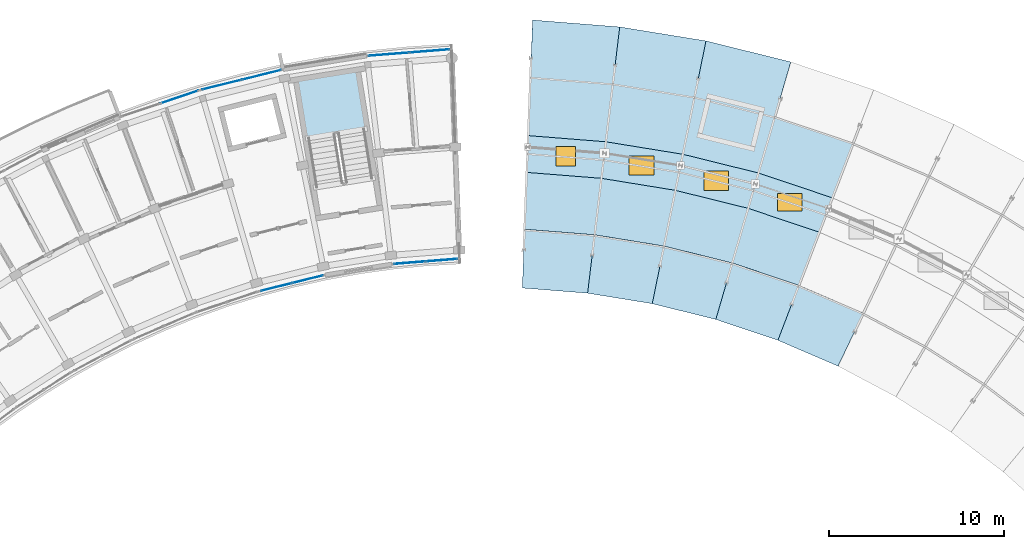
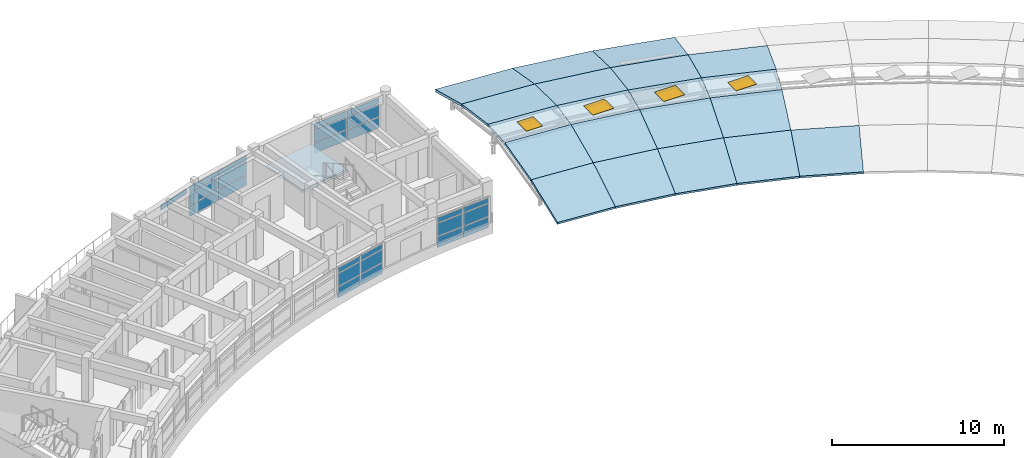
# One storey, part 13 of 20: 25 plates, 21 slabs, 4 windows, 4 openings, 6 elements without a shape of their own.
"""IFC4 building model written with IfcOpenShell, lengths in metres."""

from ifc_helpers import new_model, si_unit, direction, frame, origin, origin_2d, place, context, subcontext, project, spatial, polyline, rectangle, outline, extrude, material, layer, layer_set, type_object, element, fill, aggregate, save


model = new_model("IFC4")

# Units and contexts
model_context = context("Model", 3, precision=1e-05, world=origin(), true_north=direction((0.0, 1.0)))
body_context = subcontext(model_context, "Body", "Model", "MODEL_VIEW")
ifc_project = project(units=[si_unit("LENGTHUNIT", "METRE"), si_unit("AREAUNIT", "SQUARE_METRE"), si_unit("VOLUMEUNIT", "CUBIC_METRE"), si_unit("PLANEANGLEUNIT", "RADIAN"), si_unit("MASSUNIT", "GRAM", prefix="KILO")], contexts=[model_context])

# Site, building, storey
site_placement = place(None, origin())
site = spatial("IfcSite", under=ifc_project, at=site_placement, CompositionType="ELEMENT")
building_placement = place(site_placement, origin())
building = spatial("IfcBuilding", under=site, at=building_placement, Name="Zimvara Arc Housing Community", CompositionType="ELEMENT")
storey_placement = place(building_placement, frame((0.0, 0.0, 39.10009765625)))
storey = spatial("IfcBuildingStorey", under=building, at=storey_placement, Name="L12", CompositionType="ELEMENT", Elevation=39.10009765625)

# Curtain wall, plates
ifc_material_1 = material(Name="Anodised Aluminium AW-6063", Category="aluminium")
curtain_wall_type_1 = type_object("IfcCurtainWallType", Name="CW-SYS-08", PredefinedType="USERDEFINED", material=ifc_material_1)
curtain_wall_1_placement = place(storey_placement, origin())
curtain_wall_1 = element("IfcCurtainWall", 1, at=curtain_wall_1_placement, inside=storey, type_object=curtain_wall_type_1, Name="cw:blkA:L12:in:b9", ObjectType="CURTAIN WALL", PredefinedType="USERDEFINED")
ifc_material_2 = material(Name="Pale-Gold Anodised Aluminium Spandrel Panel", Category="aluminium")
ifc_layer_1 = layer(ifc_material_2, 0.035888671875)
ifc_layer_set_1 = layer_set([ifc_layer_1], Name="Pale-Gold Anodised Aluminium Spandrel Panel")
plate_type_1 = type_object("IfcPlateType", Name="CWP-GLD-36", PredefinedType="CURTAIN_PANEL", material=ifc_layer_set_1)
plate_1_placement = place(storey_placement, frame((40.33056640625, 91.658935546875, 0.06494140625), z_axis=(0.0, 0.0, 1.0), x_axis=(0.996862312384, 0.079155101851, 0.0)))
plate_1 = element("IfcPlate", 2, at=plate_1_placement, type_object=plate_type_1, Name="CW08 panel 1.1", PredefinedType="CURTAIN_PANEL", context=body_context, shape_type="SweptSolid", body=[
    extrude(rectangle(XDim=1.778564453125, YDim=0.035888671875, at=origin_2d()), origin(), (0.0, 0.0, 1.0), 0.75244140625),
])
plate_2_placement = place(storey_placement, frame((40.33056640625, 91.658935546875, 0.88232421875), z_axis=(0.0, 0.0, 1.0), x_axis=(0.996862312384, 0.079155101851, 0.0)))
plate_2 = element("IfcPlate", 3, at=plate_2_placement, type_object=plate_type_1, Name="CW08 panel 1.2", PredefinedType="CURTAIN_PANEL", context=body_context, shape_type="SweptSolid", body=[
    extrude(rectangle(XDim=1.778564453125, YDim=0.035888671875, at=origin_2d()), origin(), (0.0, 0.0, 1.0), 0.885009765625),
])
plate_3_placement = place(storey_placement, frame((40.33056640625, 91.658935546875, 1.832275390625), z_axis=(0.0, 0.0, 1.0), x_axis=(0.996862312384, 0.079155101851, 0.0)))
plate_3 = element("IfcPlate", 4, at=plate_3_placement, type_object=plate_type_1, Name="CW08 panel 1.3", PredefinedType="CURTAIN_PANEL", context=body_context, shape_type="SweptSolid", body=[
    extrude(rectangle(XDim=1.778564453125, YDim=0.035888671875, at=origin_2d()), origin(), (0.0, 0.0, 1.0), 0.3525390625),
])
plate_4_placement = place(storey_placement, frame((42.16845703125, 91.8046875, 0.06494140625), z_axis=(0.0, 0.0, 1.0), x_axis=(0.996862312384, 0.079155101851, 0.0)))
plate_4 = element("IfcPlate", 5, at=plate_4_placement, type_object=plate_type_1, Name="CW08 panel 2.1", PredefinedType="CURTAIN_PANEL", context=body_context, shape_type="SweptSolid", body=[
    extrude(rectangle(XDim=1.778564453125, YDim=0.035888671875, at=origin_2d()), origin(), (0.0, 0.0, 1.0), 0.75244140625),
])
plate_5_placement = place(storey_placement, frame((42.16845703125, 91.8046875, 0.88232421875), z_axis=(0.0, 0.0, 1.0), x_axis=(0.996862312384, 0.079155101851, 0.0)))
plate_5 = element("IfcPlate", 6, at=plate_5_placement, type_object=plate_type_1, Name="CW08 panel 2.2", PredefinedType="CURTAIN_PANEL", context=body_context, shape_type="SweptSolid", body=[
    extrude(rectangle(XDim=1.778564453125, YDim=0.035888671875, at=origin_2d()), origin(), (0.0, 0.0, 1.0), 0.885009765625),
])
plate_6_placement = place(storey_placement, frame((42.16845703125, 91.8046875, 1.832275390625), z_axis=(0.0, 0.0, 1.0), x_axis=(0.996862312384, 0.079155101851, 0.0)))
plate_6 = element("IfcPlate", 7, at=plate_6_placement, type_object=plate_type_1, Name="CW08 panel 2.3", PredefinedType="CURTAIN_PANEL", context=body_context, shape_type="SweptSolid", body=[
    extrude(rectangle(XDim=1.778564453125, YDim=0.035888671875, at=origin_2d()), origin(), (0.0, 0.0, 1.0), 0.3525390625),
])
aggregate(curtain_wall_1, [plate_1, plate_2, plate_3, plate_4, plate_5, plate_6])

ifc_material_3 = material(Name="Anodised Aluminium AW-6063", Category="aluminium")
curtain_wall_type_2 = type_object("IfcCurtainWallType", Name="CW-SYS-05", PredefinedType="USERDEFINED", material=ifc_material_3)
curtain_wall_2_placement = place(storey_placement, origin())
curtain_wall_2 = element("IfcCurtainWall", 8, at=curtain_wall_2_placement, inside=storey, type_object=curtain_wall_type_2, Name="cw:blkA:L12:out:b7", ObjectType="CURTAIN WALL", PredefinedType="USERDEFINED")
ifc_material_4 = material(Name="Solar Control Low-E Double Glazing", Category="glass")
ifc_layer_2 = layer(ifc_material_4, 0.02392578125)
ifc_layer_set_2 = layer_set([ifc_layer_2], Name="Solar Control Low-E Double Glazing")
plate_type_2 = type_object("IfcPlateType", Name="CWP-GLZ-24", PredefinedType="CURTAIN_PANEL", material=ifc_layer_set_2)
plate_7_placement = place(storey_placement, frame((29.615234375, 101.81298828125, 0.06494140625), z_axis=(0.0, 0.0, 1.0), x_axis=(0.970716068627, 0.240229711131, 0.0)))
plate_7 = element("IfcPlate", 9, at=plate_7_placement, type_object=plate_type_2, Name="CW05 panel 1.1", PredefinedType="CURTAIN_PANEL", context=body_context, shape_type="SweptSolid", body=[
    extrude(rectangle(XDim=2.266845703125, YDim=0.02392578125, at=origin_2d()), origin(), (0.0, 0.0, 1.0), 0.75244140625),
])
plate_8_placement = place(storey_placement, frame((29.615234375, 101.81298828125, 0.88232421875), z_axis=(0.0, 0.0, 1.0), x_axis=(0.970716068627, 0.240229711131, 0.0)))
plate_8 = element("IfcPlate", 10, at=plate_8_placement, type_object=plate_type_2, Name="CW05 panel 1.2", PredefinedType="CURTAIN_PANEL", context=body_context, shape_type="SweptSolid", body=[
    extrude(rectangle(XDim=2.266845703125, YDim=0.02392578125, at=origin_2d()), origin(), (0.0, 0.0, 1.0), 0.885009765625),
])
plate_9_placement = place(storey_placement, frame((29.615234375, 101.81298828125, 1.832275390625), z_axis=(0.0, 0.0, 1.0), x_axis=(0.970716068627, 0.240229711131, 0.0)))
plate_9 = element("IfcPlate", 11, at=plate_9_placement, type_object=plate_type_2, Name="CW05 panel 1.3", PredefinedType="CURTAIN_PANEL", context=body_context, shape_type="SweptSolid", body=[
    extrude(rectangle(XDim=2.266845703125, YDim=0.02392578125, at=origin_2d()), origin(), (0.0, 0.0, 1.0), 0.3525390625),
])
plate_10_placement = place(storey_placement, frame((31.87890625, 102.373291015625, 0.06494140625), z_axis=(0.0, 0.0, 1.0), x_axis=(0.970716068627, 0.240229711131, 0.0)))
plate_10 = element("IfcPlate", 12, at=plate_10_placement, type_object=plate_type_2, Name="CW05 panel 2.1", PredefinedType="CURTAIN_PANEL", context=body_context, shape_type="SweptSolid", body=[
    extrude(rectangle(XDim=2.266845703125, YDim=0.02392578125, at=origin_2d()), origin(), (0.0, 0.0, 1.0), 0.75244140625),
])
plate_11_placement = place(storey_placement, frame((31.87890625, 102.373291015625, 0.88232421875), z_axis=(0.0, 0.0, 1.0), x_axis=(0.970716068627, 0.240229711131, 0.0)))
plate_11 = element("IfcPlate", 13, at=plate_11_placement, type_object=plate_type_2, Name="CW05 panel 2.2", PredefinedType="CURTAIN_PANEL", context=body_context, shape_type="SweptSolid", body=[
    extrude(rectangle(XDim=2.266845703125, YDim=0.02392578125, at=origin_2d()), origin(), (0.0, 0.0, 1.0), 0.885009765625),
])
plate_12_placement = place(storey_placement, frame((31.87890625, 102.373291015625, 1.832275390625), z_axis=(0.0, 0.0, 1.0), x_axis=(0.970716068627, 0.240229711131, 0.0)))
plate_12 = element("IfcPlate", 14, at=plate_12_placement, type_object=plate_type_2, Name="CW05 panel 2.3", PredefinedType="CURTAIN_PANEL", context=body_context, shape_type="SweptSolid", body=[
    extrude(rectangle(XDim=2.266845703125, YDim=0.02392578125, at=origin_2d()), origin(), (0.0, 0.0, 1.0), 0.3525390625),
])
aggregate(curtain_wall_2, [plate_7, plate_8, plate_9, plate_10, plate_11, plate_12])

ifc_material_5 = material(Name="Anodised Aluminium AW-6063", Category="aluminium")
curtain_wall_type_3 = type_object("IfcCurtainWallType", Name="CW-SYS-06", PredefinedType="USERDEFINED", material=ifc_material_5)
curtain_wall_3_placement = place(storey_placement, origin())
curtain_wall_3 = element("IfcCurtainWall", 15, at=curtain_wall_3_placement, inside=storey, type_object=curtain_wall_type_3, Name="cw:blkA:L12:in:b7", ObjectType="CURTAIN WALL", PredefinedType="USERDEFINED")
ifc_material_6 = material(Name="Solar Control Low-E Double Glazing", Category="glass")
ifc_layer_3 = layer(ifc_material_6, 0.028076171875)
ifc_layer_set_3 = layer_set([ifc_layer_3], Name="Solar Control Low-E Double Glazing")
plate_type_3 = type_object("IfcPlateType", Name="CWP-GLZ-28", PredefinedType="CURTAIN_PANEL", material=ifc_layer_set_3)
plate_13_placement = place(storey_placement, frame((32.72314453125, 90.271484375, 0.06494140625), z_axis=(0.0, 0.0, 1.0), x_axis=(0.970716198507, 0.240229186313, 0.0)))
plate_13 = element("IfcPlate", 16, at=plate_13_placement, type_object=plate_type_3, Name="CW06 panel 1.1", PredefinedType="CURTAIN_PANEL", context=body_context, shape_type="SweptSolid", body=[
    extrude(rectangle(XDim=1.778564453125, YDim=0.028076171875, at=origin_2d()), origin(), (0.0, 0.0, 1.0), 0.75244140625),
])
plate_14_placement = place(storey_placement, frame((32.72314453125, 90.271484375, 0.88232421875), z_axis=(0.0, 0.0, 1.0), x_axis=(0.970716198507, 0.240229186313, 0.0)))
plate_14 = element("IfcPlate", 17, at=plate_14_placement, type_object=plate_type_3, Name="CW06 panel 1.2", PredefinedType="CURTAIN_PANEL", context=body_context, shape_type="SweptSolid", body=[
    extrude(rectangle(XDim=1.778564453125, YDim=0.028076171875, at=origin_2d()), origin(), (0.0, 0.0, 1.0), 0.885009765625),
])
plate_15_placement = place(storey_placement, frame((32.72314453125, 90.271484375, 1.832275390625), z_axis=(0.0, 0.0, 1.0), x_axis=(0.970716198507, 0.240229186313, 0.0)))
plate_15 = element("IfcPlate", 18, at=plate_15_placement, type_object=plate_type_3, Name="CW06 panel 1.3", PredefinedType="CURTAIN_PANEL", context=body_context, shape_type="SweptSolid", body=[
    extrude(rectangle(XDim=1.778564453125, YDim=0.028076171875, at=origin_2d()), origin(), (0.0, 0.0, 1.0), 0.3525390625),
])
plate_16_placement = place(storey_placement, frame((34.5126953125, 90.71435546875, 0.06494140625), z_axis=(0.0, 0.0, 1.0), x_axis=(0.970716198507, 0.240229186313, 0.0)))
plate_16 = element("IfcPlate", 19, at=plate_16_placement, type_object=plate_type_3, Name="CW06 panel 2.1", PredefinedType="CURTAIN_PANEL", context=body_context, shape_type="SweptSolid", body=[
    extrude(rectangle(XDim=1.778564453125, YDim=0.028076171875, at=origin_2d()), origin(), (0.0, 0.0, 1.0), 0.75244140625),
])
plate_17_placement = place(storey_placement, frame((34.5126953125, 90.71435546875, 0.88232421875), z_axis=(0.0, 0.0, 1.0), x_axis=(0.970716198507, 0.240229186313, 0.0)))
plate_17 = element("IfcPlate", 20, at=plate_17_placement, type_object=plate_type_3, Name="CW06 panel 2.2", PredefinedType="CURTAIN_PANEL", context=body_context, shape_type="SweptSolid", body=[
    extrude(rectangle(XDim=1.778564453125, YDim=0.028076171875, at=origin_2d()), origin(), (0.0, 0.0, 1.0), 0.885009765625),
])
plate_18_placement = place(storey_placement, frame((34.5126953125, 90.71435546875, 1.832275390625), z_axis=(0.0, 0.0, 1.0), x_axis=(0.970716198507, 0.240229186313, 0.0)))
plate_18 = element("IfcPlate", 21, at=plate_18_placement, type_object=plate_type_3, Name="CW06 panel 2.3", PredefinedType="CURTAIN_PANEL", context=body_context, shape_type="SweptSolid", body=[
    extrude(rectangle(XDim=1.778564453125, YDim=0.028076171875, at=origin_2d()), origin(), (0.0, 0.0, 1.0), 0.3525390625),
])
aggregate(curtain_wall_3, [plate_13, plate_14, plate_15, plate_16, plate_17, plate_18])

# Curtain wall, plate
ifc_material_7 = material(Name="Anodised Aluminium AW-6063", Category="aluminium")
curtain_wall_type_4 = type_object("IfcCurtainWallType", Name="CW-SYS-03", PredefinedType="USERDEFINED", material=ifc_material_7)
curtain_wall_4_placement = place(storey_placement, origin())
curtain_wall_4 = element("IfcCurtainWall", 22, at=curtain_wall_4_placement, inside=storey, type_object=curtain_wall_type_4, Name="cw:blkA:L12:out:b6", ObjectType="CURTAIN WALL", PredefinedType="USERDEFINED")
ifc_material_8 = material(Name="Acoustic Laminated Solar Glazing", Category="glass")
ifc_layer_4 = layer(ifc_material_8, 0.031982421875)
ifc_layer_set_4 = layer_set([ifc_layer_4], Name="Acoustic Laminated Solar Glazing")
plate_type_4 = type_object("IfcPlateType", Name="CWP-GLZ-32", PredefinedType="CURTAIN_PANEL", material=ifc_layer_set_4)
plate_19_placement = place(storey_placement, frame((27.200927734375, 101.109619140625, 1.832275390625), z_axis=(0.0, 0.0, 1.0), x_axis=(0.947879647164, 0.318628583921, 0.0)))
plate_19 = element("IfcPlate", 23, at=plate_19_placement, type_object=plate_type_4, Name="CW03 panel 2.3", PredefinedType="CURTAIN_PANEL", context=body_context, shape_type="SweptSolid", body=[
    extrude(rectangle(XDim=2.266845703125, YDim=0.031982421875, at=origin_2d()), origin(), (0.0, 0.0, 1.0), 0.3525390625),
])
aggregate(curtain_wall_4, [plate_19])

# Curtain wall, plates
ifc_material_9 = material(Name="Anodised Aluminium AW-6063", Category="aluminium")
curtain_wall_type_5 = type_object("IfcCurtainWallType", Name="CW-SYS-07", PredefinedType="USERDEFINED", material=ifc_material_9)
curtain_wall_5_placement = place(storey_placement, origin())
curtain_wall_5 = element("IfcCurtainWall", 24, at=curtain_wall_5_placement, inside=storey, type_object=curtain_wall_type_5, Name="cw:blkA:L12:out:b9", ObjectType="CURTAIN WALL", PredefinedType="USERDEFINED")
plate_20_placement = place(storey_placement, frame((39.141357421875, 103.552001953125, 0.06494140625), z_axis=(0.0, 0.0, 1.0), x_axis=(0.996862418963, 0.079153759607, 0.0)))
plate_20 = element("IfcPlate", 25, at=plate_20_placement, type_object=plate_type_4, Name="CW07 panel 1.1", PredefinedType="CURTAIN_PANEL", context=body_context, shape_type="SweptSolid", body=[
    extrude(rectangle(XDim=2.266845703125, YDim=0.031982421875, at=origin_2d()), origin(), (0.0, 0.0, 1.0), 0.75244140625),
])
plate_21_placement = place(storey_placement, frame((39.141357421875, 103.552001953125, 0.88232421875), z_axis=(0.0, 0.0, 1.0), x_axis=(0.996862418963, 0.079153759607, 0.0)))
plate_21 = element("IfcPlate", 26, at=plate_21_placement, type_object=plate_type_4, Name="CW07 panel 1.2", PredefinedType="CURTAIN_PANEL", context=body_context, shape_type="SweptSolid", body=[
    extrude(rectangle(XDim=2.266845703125, YDim=0.031982421875, at=origin_2d()), origin(), (0.0, 0.0, 1.0), 0.885009765625),
])
plate_22_placement = place(storey_placement, frame((39.141357421875, 103.552001953125, 1.832275390625), z_axis=(0.0, 0.0, 1.0), x_axis=(0.996862418963, 0.079153759607, 0.0)))
plate_22 = element("IfcPlate", 27, at=plate_22_placement, type_object=plate_type_4, Name="CW07 panel 1.3", PredefinedType="CURTAIN_PANEL", context=body_context, shape_type="SweptSolid", body=[
    extrude(rectangle(XDim=2.266845703125, YDim=0.031982421875, at=origin_2d()), origin(), (0.0, 0.0, 1.0), 0.3525390625),
])
plate_23_placement = place(storey_placement, frame((41.466064453125, 103.736572265625, 0.06494140625), z_axis=(0.0, 0.0, 1.0), x_axis=(0.996862418963, 0.079153759607, 0.0)))
plate_23 = element("IfcPlate", 28, at=plate_23_placement, type_object=plate_type_4, Name="CW07 panel 2.1", PredefinedType="CURTAIN_PANEL", context=body_context, shape_type="SweptSolid", body=[
    extrude(rectangle(XDim=2.266845703125, YDim=0.031982421875, at=origin_2d()), origin(), (0.0, 0.0, 1.0), 0.75244140625),
])
plate_24_placement = place(storey_placement, frame((41.466064453125, 103.736572265625, 0.88232421875), z_axis=(0.0, 0.0, 1.0), x_axis=(0.996862418963, 0.079153759607, 0.0)))
plate_24 = element("IfcPlate", 29, at=plate_24_placement, type_object=plate_type_4, Name="CW07 panel 2.2", PredefinedType="CURTAIN_PANEL", context=body_context, shape_type="SweptSolid", body=[
    extrude(rectangle(XDim=2.266845703125, YDim=0.031982421875, at=origin_2d()), origin(), (0.0, 0.0, 1.0), 0.885009765625),
])
plate_25_placement = place(storey_placement, frame((41.466064453125, 103.736572265625, 1.832275390625), z_axis=(0.0, 0.0, 1.0), x_axis=(0.996862418963, 0.079153759607, 0.0)))
plate_25 = element("IfcPlate", 30, at=plate_25_placement, type_object=plate_type_4, Name="CW07 panel 2.3", PredefinedType="CURTAIN_PANEL", context=body_context, shape_type="SweptSolid", body=[
    extrude(rectangle(XDim=2.266845703125, YDim=0.031982421875, at=origin_2d()), origin(), (0.0, 0.0, 1.0), 0.3525390625),
])
aggregate(curtain_wall_5, [plate_20, plate_21, plate_22, plate_23, plate_24, plate_25])

# Slabs
ifc_material_10 = material(Name="Concrete C40/50", Category="concrete")
ifc_layer_5 = layer(ifc_material_10, 0.179931640625)
ifc_layer_set_5 = layer_set([ifc_layer_5], Name="Concrete C40/50")
slab_type_1 = type_object("IfcSlabType", Name="SLB-BRL-ROOF-180", PredefinedType="ROOF", material=ifc_layer_set_5)
slab_1_placement = place(storey_placement, frame((46.75634765625, 90.21630859375, 0.119873046875), z_axis=(-0.022974423156, -0.289322128099, 0.95695605023), x_axis=(0.9968633864, -0.079141574588, 5.17525e-06)))
element("IfcSlab", 31, at=slab_1_placement, inside=storey, type_object=slab_type_1, Name="roof:blkB:in1:b0:t0", PredefinedType="ROOF", context=body_context, shape_type="SweptSolid", body=[
    extrude(outline(polyline([(0.0, 0.0), (3.7358385114678287, 0.0), (3.8705900327088654, 3.44544011930039), (-0.1349044960905518, 3.4455781578765805), (0.0, 0.0)])), origin(), (0.0, 0.0, -1.0), 0.179931640625),
])
slab_2_placement = place(storey_placement, frame((46.8828125, 93.513916015625, 1.119873046875), z_axis=(-0.014174813239, -0.178491782349, 0.983839294958), x_axis=(0.996860687399, -0.079175563872, -1.904218e-06)))
element("IfcSlab", 32, at=slab_2_placement, inside=storey, type_object=slab_type_1, Name="roof:blkB:in2:b0:t0", PredefinedType="ROOF", context=body_context, shape_type="SweptSolid", body=[
    extrude(outline(polyline([(0.0, 0.0), (4.005494531221431, 0.0), (4.140107984631952, 3.351538711214343), (-0.13477986450840904, 3.3514506501851047), (0.0, 0.0)])), origin(), (0.0, 0.0, -1.0), 0.179931640625),
])
slab_3_placement = place(storey_placement, frame((52.313232421875, 105.1103515625, 0.119873046875), z_axis=(0.0229715064, 0.289331418603, 0.956953311349), x_axis=(-0.996863621307, 0.079138615797, 2.268744e-06)))
element("IfcSlab", 33, at=slab_3_placement, inside=storey, type_object=slab_type_1, Name="roof:blkB:out2:b0:t0", PredefinedType="ROOF", context=body_context, shape_type="SweptSolid", body=[
    extrude(outline(polyline([(0.0, 0.0), (4.985362275011209, -5.551115123125783e-17), (4.850727354912323, 3.445364017546967), (0.13475840094887853, 3.445439850266384), (0.0, 0.0)])), origin(), (0.0, 0.0, -1.0), 0.179931640625),
])
slab_4_placement = place(storey_placement, frame((51.91796875, 101.834228515625, 1.119873046875), z_axis=(0.014175326498, 0.178491741596, 0.983839294957), x_axis=(-0.996862311933, 0.079155107487, 2.353792e-06)))
element("IfcSlab", 34, at=slab_4_placement, inside=storey, type_object=slab_type_1, Name="roof:blkB:out1:b0:t0", PredefinedType="ROOF", context=body_context, shape_type="SweptSolid", body=[
    extrude(outline(polyline([(0.0, 0.0), (4.715968954574453, 0.0), (4.5810159336717495, 3.3514344607299833), (0.1349270479698463, 3.351554902684839), (0.0, 0.0)])), origin(), (0.0, 0.0, -1.0), 0.179931640625),
])
slab_5_placement = place(storey_placement, frame((50.48046875, 89.920654296875, 0.119873046875), z_axis=(-0.046509333371, -0.286488706127, 0.95695407579), x_axis=(0.987077534136, -0.160243382402, 4.16747e-07)))
element("IfcSlab", 35, at=slab_5_placement, inside=storey, type_object=slab_type_1, Name="roof:blkB:in1:b1:t0", PredefinedType="ROOF", context=body_context, shape_type="SweptSolid", body=[
    extrude(outline(polyline([(0.0, 0.0), (3.735775353818671, 1.1102230246251565e-16), (3.8705536441515354, 3.445426296550488), (-0.13482073088136826, 3.445437411866831), (0.0, 0.0)])), origin(), (0.0, 0.0, -1.0), 0.179931640625),
])
slab_6_placement = place(storey_placement, frame((50.875732421875, 93.19677734375, 1.119873046875), z_axis=(-0.028692655085, -0.176738308546, 0.983839571189), x_axis=(0.98707708297, -0.160246161497, 2.30475e-07)))
element("IfcSlab", 36, at=slab_6_placement, inside=storey, type_object=slab_type_1, Name="roof:blkB:in2:b1:t0", PredefinedType="ROOF", context=body_context, shape_type="SweptSolid", body=[
    extrude(outline(polyline([(0.0, 0.0), (4.0053743750485475, 0.0), (4.1401039813896885, 3.351517762408131), (-0.1348694149046448, 3.351528420823835), (0.0, 0.0)])), origin(), (0.0, 0.0, -1.0), 0.179931640625),
])
slab_7_placement = place(storey_placement, frame((57.234130859375, 104.3115234375, 0.119873046875), z_axis=(0.046506464662, 0.286489171818, 0.956954075792), x_axis=(-0.987078713765, 0.160236115876, -3.87493e-07)))
element("IfcSlab", 37, at=slab_7_placement, inside=storey, type_object=slab_type_1, Name="roof:blkB:out2:b1:t0", PredefinedType="ROOF", context=body_context, shape_type="SweptSolid", body=[
    extrude(outline(polyline([(0.0, 0.0), (4.98531521626034, 3.3306690738754696e-16), (4.85051795343565, 3.445438330096845), (0.13480175829698401, 3.4454253784497024), (0.0, 0.0)])), origin(), (0.0, 0.0, -1.0), 0.179931640625),
])
slab_8_placement = place(storey_placement, frame((56.57275390625, 101.07861328125, 1.119873046875), z_axis=(0.028688950744, 0.176737868356, 0.983839758291), x_axis=(-0.987079184767, 0.160233214403, -1.027241e-06)))
element("IfcSlab", 38, at=slab_8_placement, inside=storey, type_object=slab_type_1, Name="roof:blkB:out1:b1:t0", PredefinedType="ROOF", context=body_context, shape_type="SweptSolid", body=[
    extrude(outline(polyline([(0.0, 0.0), (4.7157161951543145, -2.220446049250313e-16), (4.581130261822835, 3.351568617921613), (0.13477210161993652, 3.3515160538424444), (0.0, 0.0)])), origin(), (0.0, 0.0, -1.0), 0.179931640625),
])
slab_9_placement = place(storey_placement, frame((54.16796875, 89.322021484375, 0.119873046875), z_axis=(-0.069723245271, -0.281739761874, 0.956954218157), x_axis=(0.970716409036, -0.240228335606, -3.92697e-07)))
element("IfcSlab", 39, at=slab_9_placement, inside=storey, type_object=slab_type_1, Name="roof:blkB:in1:b2:t0", PredefinedType="ROOF", context=body_context, shape_type="SweptSolid", body=[
    extrude(outline(polyline([(0.0, 0.0), (3.7358644779074552, 0.0), (3.870596730473103, 3.445442663410225), (-0.13462755774030552, 3.4454321896104463), (0.0, 0.0)])), origin(), (0.0, 0.0, -1.0), 0.179931640625),
])
slab_10_placement = place(storey_placement, frame((54.829345703125, 92.554931640625, 1.119873046875), z_axis=(-0.04301112425, -0.173807810552, 0.983839869177), x_axis=(0.970717100929, -0.240225539778, -1.464941e-06)))
element("IfcSlab", 40, at=slab_10_placement, inside=storey, type_object=slab_type_1, Name="roof:blkB:in2:b2:t0", PredefinedType="ROOF", context=body_context, shape_type="SweptSolid", body=[
    extrude(outline(polyline([(0.0, 0.0), (4.005224288222957, 0.0), (4.140143893336732, 3.3515876138275904), (-0.13467719670194198, 3.3515198688379972), (0.0, 0.0)])), origin(), (0.0, 0.0, -1.0), 0.179931640625),
])
slab_11_placement = place(storey_placement, frame((62.0732421875, 103.114013671875, 0.119873046875), z_axis=(0.069721064497, 0.281740301595, 0.956954218144), x_axis=(-0.970718766589, 0.240218808988, 2.36209e-07)))
element("IfcSlab", 41, at=slab_11_placement, inside=storey, type_object=slab_type_1, Name="roof:blkB:out2:b2:t0", PredefinedType="ROOF", context=body_context, shape_type="SweptSolid", body=[
    extrude(outline(polyline([(0.0, 0.0), (4.985080549474946, 0.0), (4.85048597857302, 3.4454334783872294), (0.13476523949816696, 3.445441373315268), (0.0, 0.0)])), origin(), (0.0, 0.0, -1.0), 0.179931640625),
])
slab_12_placement = place(storey_placement, frame((61.150390625, 99.94580078125, 1.119873046875), z_axis=(0.04301214547, 0.173809145571, 0.983839588682), x_axis=(-0.970718356208, 0.240220467321, 1.67684e-07)))
element("IfcSlab", 42, at=slab_12_placement, inside=storey, type_object=slab_type_1, Name="roof:blkB:out1:b2:t0", PredefinedType="ROOF", context=body_context, shape_type="SweptSolid", body=[
    extrude(outline(polyline([(0.0, 0.0), (4.715720739081553, 0.0), (4.581061752363916, 3.3515206005421576), (0.13470082366794028, 3.351529180900195), (0.0, 0.0)])), origin(), (0.0, 0.0, -1.0), 0.179931640625),
])
slab_13_placement = place(storey_placement, frame((57.79443359375, 88.424560546875, 0.119873046875), z_axis=(-0.092474087513, -0.275106520269, 0.956956083446), x_axis=(0.947876950025, -0.318636607415, -5.175022e-06)))
element("IfcSlab", 43, at=slab_13_placement, inside=storey, type_object=slab_type_1, Name="roof:blkB:in1:b3:t0", PredefinedType="ROOF", context=body_context, shape_type="SweptSolid", body=[
    extrude(outline(polyline([(0.0, 0.0), (3.735992982877189, -2.220446049250313e-16), (3.8705943399836635, 3.4455794523556467), (-0.1347640576710114, 3.445441419482121), (0.0, 0.0)])), origin(), (0.0, 0.0, -1.0), 0.179931640625),
])
slab_14_placement = place(storey_placement, frame((58.71728515625, 91.5927734375, 1.119873046875), z_axis=(-0.057048152741, -0.169719046301, 0.983839902419), x_axis=(0.947887804654, -0.318604315387, 2.061013e-06)))
element("IfcSlab", 44, at=slab_14_placement, inside=storey, type_object=slab_type_1, Name="roof:blkB:in2:b3:t0", PredefinedType="ROOF", context=body_context, shape_type="SweptSolid", body=[
    extrude(outline(polyline([(0.0, 0.0), (4.0053584000752895, 0.0), (4.140309916911893, 3.351509501246324), (-0.13449168694384653, 3.3516048124912854), (0.0, 0.0)])), origin(), (0.0, 0.0, -1.0), 0.179931640625),
])
slab_15_placement = place(storey_placement, frame((65.620361328125, 98.443115234375, 1.119873046875), z_axis=(0.057054089524, 0.169721364154, 0.983839158307), x_axis=(-0.947872672327, 0.318649332421, -1.613151e-06)))
element("IfcSlab", 45, at=slab_15_placement, inside=storey, type_object=slab_type_1, Name="roof:blkB:out1:b3:t0", PredefinedType="ROOF", context=body_context, shape_type="SweptSolid", body=[
    extrude(outline(polyline([(0.0, 0.0), (4.715792821946596, 2.220446049250313e-16), (4.580910912795344, 3.351521898010951), (0.13456129892165572, 3.351439353777418), (0.0, 0.0)])), origin(), (0.0, 0.0, -1.0), 0.179931640625),
])
slab_16_placement = place(storey_placement, frame((61.335693359375, 87.234130859375, 0.119873046875), z_axis=(-0.114613530394, -0.266635262251, 0.956958398038), x_axis=(0.918715489381, -0.394920054652, -2.494021e-06)))
element("IfcSlab", 46, at=slab_16_placement, inside=storey, type_object=slab_type_1, Name="roof:blkB:in1:b4:t0", PredefinedType="ROOF", context=body_context, shape_type="SweptSolid", body=[
    extrude(outline(polyline([(0.0, 0.0), (3.735792050774291, -2.220446049250313e-16), (3.870589778254048, 3.445634301951835), (-0.13489987153131738, 3.4455677780018448), (0.0, 0.0)])), origin(), (0.0, 0.0, -1.0), 0.179931640625),
])

# Slab, opening, window
ifc_material_11 = material(Name="Concrete C40/50", Category="concrete")
ifc_layer_6 = layer(ifc_material_11, 0.205078125)
ifc_layer_set_6 = layer_set([ifc_layer_6], Name="Concrete C40/50")
slab_type_2 = type_object("IfcSlabType", Name="SLB-CURB-ROOF-205", PredefinedType="ROOF", material=ifc_layer_set_6)
slab_17_placement = place(storey_placement, frame((0.0, 0.0, 1.514892578125)))
slab_17 = element("IfcSlab", 47, at=slab_17_placement, inside=storey, type_object=slab_type_2, Name="roof:blkB:curb:b0", PredefinedType="ROOF", context=body_context, shape_type="SweptSolid", body=[
    extrude(outline(polyline([(47.009521484375, 96.8115234375), (51.27099609375, 96.47314453125), (51.5224609375, 98.557861328125), (47.09033203125, 98.909912109375), (47.009521484375, 96.8115234375)])), origin(), (0.0, 0.0, 1.0), 0.205078125),
])
opening_1_placement = place(slab_17_placement, frame((49.226806640625, 97.732421875, 0.0)))
opening_1 = element("IfcOpeningElement", 48, at=opening_1_placement, cuts=slab_17, Name="Opening SK4", PredefinedType="OPENING", context=body_context, shape_type="SweptSolid", body=[
    extrude(rectangle(XDim=1.10009765625, YDim=1.10009765625, at=origin_2d()), origin(), (0.0, 0.0, 1.0), 0.205078125),
])
ifc_material_12 = material(Name="Solar Control Low-E Double Glazing", Category="glass")
window_type_1 = type_object("IfcWindowType", Name="SKY-HTCH-1100x1100", PartitioningType="SINGLE_PANEL", PredefinedType="SKYLIGHT", material=ifc_material_12)
window_1_placement = place(opening_1_placement, frame((0.0, 0.0, 0.155029296875)))
window_1 = element("IfcWindow", 49, at=window_1_placement, inside=storey, type_object=window_type_1, Name="ROOF ACCESS HATCH", OverallHeight=1.10009765625, OverallWidth=1.10009765625, PartitioningType="SINGLE_PANEL", PredefinedType="SKYLIGHT", context=body_context, shape_type="SweptSolid", body=[
    extrude(rectangle(XDim=1.10009765625, YDim=1.10009765625, at=origin_2d()), origin(), (0.0, 0.0, 1.0), 0.050048828125),
])
fill(opening_1, window_1)

slab_18_placement = place(storey_placement, frame((0.0, 0.0, 1.514892578125)))
slab_18 = element("IfcSlab", 50, at=slab_18_placement, inside=storey, type_object=slab_type_2, Name="roof:blkB:curb:b1", PredefinedType="ROOF", context=body_context, shape_type="SweptSolid", body=[
    extrude(outline(polyline([(51.27099609375, 96.47314453125), (55.49072265625, 95.7880859375), (55.911376953125, 97.845458984375), (51.5224609375, 98.557861328125), (51.27099609375, 96.47314453125)])), origin(), (0.0, 0.0, 1.0), 0.205078125),
])
opening_2_placement = place(slab_18_placement, frame((53.55615234375, 97.210205078125, 0.0)))
opening_2 = element("IfcOpeningElement", 51, at=opening_2_placement, cuts=slab_18, Name="Opening SK1", PredefinedType="OPENING", context=body_context, shape_type="SweptSolid", body=[
    extrude(rectangle(XDim=1.39990234375, YDim=1.10009765625, at=origin_2d()), origin(), (0.0, 0.0, 1.0), 0.205078125),
])
ifc_material_13 = material(Name="Solar Control Low-E Double Glazing", Category="glass")
window_type_2 = type_object("IfcWindowType", Name="SKY-BRL-2200x1200", PartitioningType="SINGLE_PANEL", PredefinedType="SKYLIGHT", material=ifc_material_13)
window_2_placement = place(opening_2_placement, frame((0.0, 0.0, 0.155029296875)))
window_2 = element("IfcWindow", 52, at=window_2_placement, inside=storey, type_object=window_type_2, Name="sky:blkB:b1", OverallHeight=1.10009765625, OverallWidth=1.39990234375, PartitioningType="SINGLE_PANEL", PredefinedType="SKYLIGHT", context=body_context, shape_type="SweptSolid", body=[
    extrude(rectangle(XDim=1.39990234375, YDim=1.10009765625, at=origin_2d()), origin(), (0.0, 0.0, 1.0), 0.050048828125),
])
fill(opening_2, window_2)

slab_19_placement = place(storey_placement, frame((0.0, 0.0, 1.514892578125)))
slab_19 = element("IfcSlab", 53, at=slab_19_placement, inside=storey, type_object=slab_type_2, Name="roof:blkB:curb:b2", PredefinedType="ROOF", context=body_context, shape_type="SweptSolid", body=[
    extrude(outline(polyline([(55.49072265625, 95.7880859375), (59.640380859375, 94.76123046875), (60.2275390625, 96.77734375), (55.911376953125, 97.845458984375), (55.49072265625, 95.7880859375)])), origin(), (0.0, 0.0, 1.0), 0.205078125),
])
opening_3_placement = place(slab_19_placement, frame((57.828125, 96.336181640625, 0.0)))
opening_3 = element("IfcOpeningElement", 54, at=opening_3_placement, cuts=slab_19, Name="Opening SK2", PredefinedType="OPENING", context=body_context, shape_type="SweptSolid", body=[
    extrude(rectangle(XDim=1.39990234375, YDim=1.10009765625, at=origin_2d()), origin(), (0.0, 0.0, 1.0), 0.205078125),
])
ifc_material_14 = material(Name="Solar Control Low-E Double Glazing", Category="glass")
window_type_3 = type_object("IfcWindowType", Name="SKY-BRL-2000x1100", PartitioningType="SINGLE_PANEL", PredefinedType="SKYLIGHT", material=ifc_material_14)
window_3_placement = place(opening_3_placement, frame((0.0, 0.0, 0.155029296875)))
window_3 = element("IfcWindow", 55, at=window_3_placement, inside=storey, type_object=window_type_3, Name="sky:blkB:b2", OverallHeight=1.10009765625, OverallWidth=1.39990234375, PartitioningType="SINGLE_PANEL", PredefinedType="SKYLIGHT", context=body_context, shape_type="SweptSolid", body=[
    extrude(rectangle(XDim=1.39990234375, YDim=1.10009765625, at=origin_2d()), origin(), (0.0, 0.0, 1.0), 0.050048828125),
])
fill(opening_3, window_3)

slab_20_placement = place(storey_placement, frame((0.0, 0.0, 1.514892578125)))
slab_20 = element("IfcSlab", 56, at=slab_20_placement, inside=storey, type_object=slab_type_2, Name="roof:blkB:curb:b3", PredefinedType="ROOF", context=body_context, shape_type="SweptSolid", body=[
    extrude(outline(polyline([(59.640380859375, 94.76123046875), (63.6923828125, 93.399169921875), (64.442138671875, 95.360595703125), (60.2275390625, 96.77734375), (59.640380859375, 94.76123046875)])), origin(), (0.0, 0.0, 1.0), 0.205078125),
])
opening_4_placement = place(slab_20_placement, frame((62.0146484375, 95.11669921875, 0.0)))
opening_4 = element("IfcOpeningElement", 57, at=opening_4_placement, cuts=slab_20, Name="Opening SK3", PredefinedType="OPENING", context=body_context, shape_type="SweptSolid", body=[
    extrude(rectangle(XDim=1.39990234375, YDim=1.0, at=origin_2d()), origin(), (0.0, 0.0, 1.0), 0.205078125),
])
ifc_material_15 = material(Name="Solar Control Low-E Double Glazing", Category="glass")
window_type_4 = type_object("IfcWindowType", Name="SKY-BRL-1800x1000", PartitioningType="SINGLE_PANEL", PredefinedType="SKYLIGHT", material=ifc_material_15)
window_4_placement = place(opening_4_placement, frame((0.0, 0.0, 0.155029296875)))
window_4 = element("IfcWindow", 58, at=window_4_placement, inside=storey, type_object=window_type_4, Name="sky:blkB:b3", OverallHeight=1.0, OverallWidth=1.39990234375, PartitioningType="SINGLE_PANEL", PredefinedType="SKYLIGHT", context=body_context, shape_type="SweptSolid", body=[
    extrude(rectangle(XDim=1.39990234375, YDim=1.0, at=origin_2d()), origin(), (0.0, 0.0, 1.0), 0.050048828125),
])
fill(opening_4, window_4)

# Stair, slab
ifc_material_16 = material(Name="Concrete C35/45", Category="concrete")
stair_type = type_object("IfcStairType", Name="STR-DL-315-310", PredefinedType="HALF_TURN_STAIR", material=ifc_material_16)
stair_placement = place(storey_placement, origin())
stair = element("IfcStair", 59, at=stair_placement, inside=storey, type_object=stair_type, Name="L12 Block A Exit Stair 2", PredefinedType="HALF_TURN_STAIR")
ifc_material_17 = material(Name="Concrete C35/45", Category="concrete")
ifc_layer_7 = layer(ifc_material_17, 0.199951171875)
ifc_layer_set_7 = layer_set([ifc_layer_7], Name="Concrete C35/45")
slab_type_3 = type_object("IfcSlabType", Name="SLB-STAIR-LND-200", PredefinedType="LANDING", material=ifc_layer_set_7)
slab_21_placement = place(storey_placement, frame((0.0, 0.0, 1.349853515625)))
slab_21 = element("IfcSlab", 60, at=slab_21_placement, type_object=slab_type_3, Name="ST-A2 landing 1", PredefinedType="LANDING", context=body_context, shape_type="SweptSolid", body=[
    extrude(outline(polyline([(37.814697265625, 99.2509765625), (37.278564453125, 102.552978515625), (33.962158203125, 102.014404296875), (34.498046875, 98.712646484375), (37.814697265625, 99.2509765625)])), origin(), (0.0, 0.0, 1.0), 0.199951171875),
])
aggregate(stair, [slab_21])

save(model, "model.ifc")
